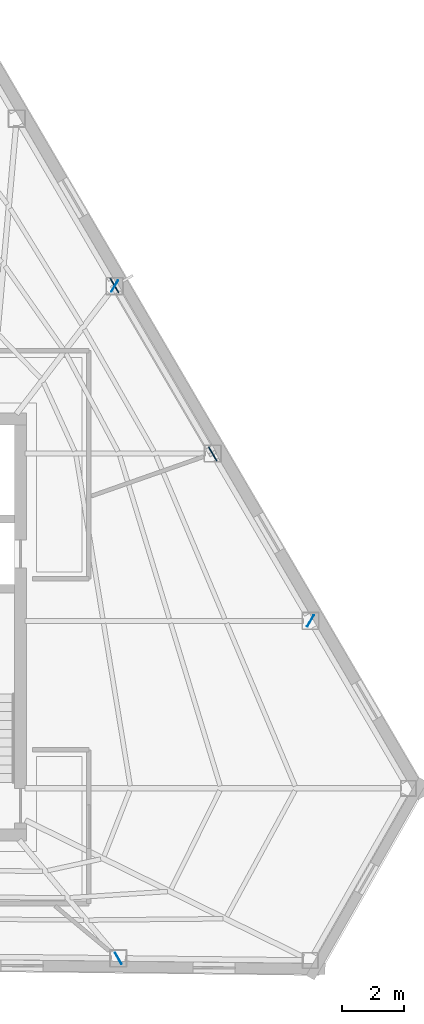
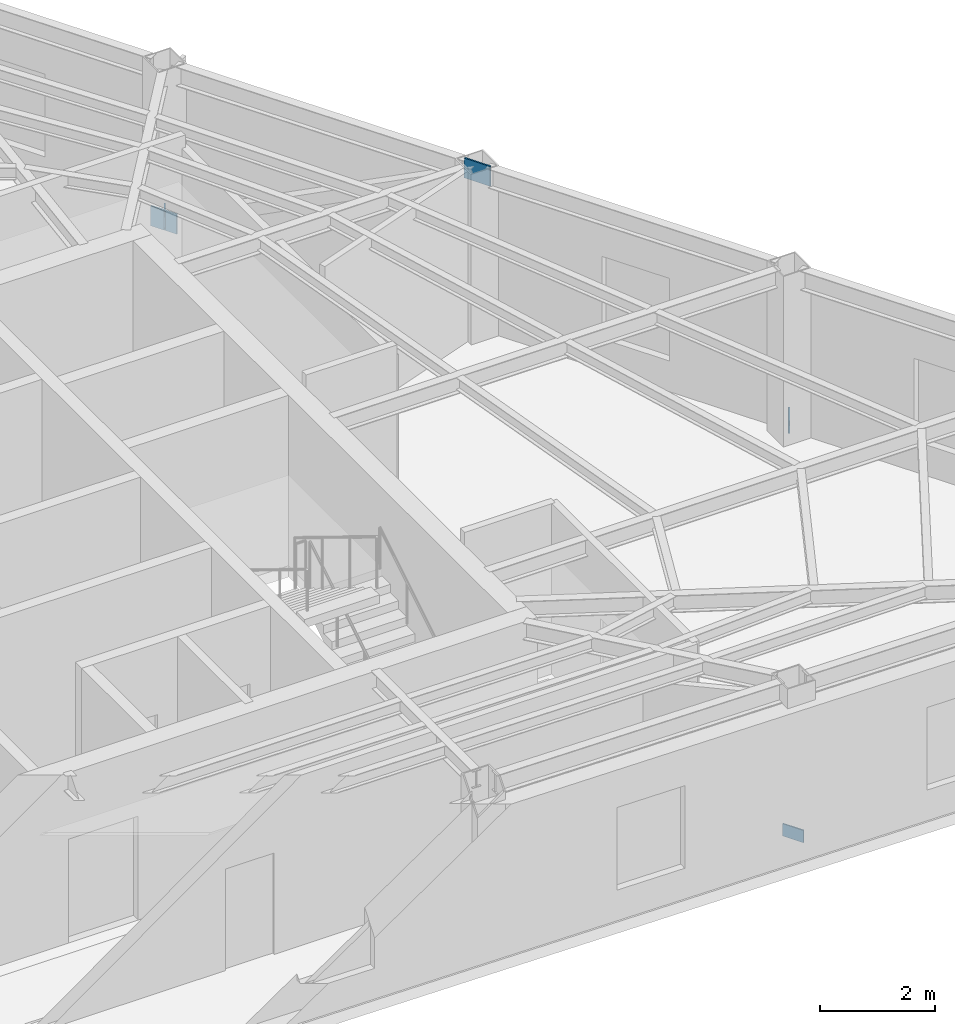
# One storey, part 5 of 10: 5 plates.
"""IFC4 building model written with IfcOpenShell, lengths in metres."""

from ifc_helpers import new_model, si_unit, direction, frame, origin, origin_2d, place, context, subcontext, project, spatial, rectangle, extrude, material, layer, layer_set, type_object, element, save


model = new_model("IFC4")

# Units and contexts
model_context = context("Model", 3, precision=1e-05, world=origin(), true_north=direction((0.0, 1.0)))
body_context = subcontext(model_context, "Body", "Model", "MODEL_VIEW")
ifc_project = project(units=[si_unit("LENGTHUNIT", "METRE"), si_unit("AREAUNIT", "SQUARE_METRE"), si_unit("VOLUMEUNIT", "CUBIC_METRE"), si_unit("PLANEANGLEUNIT", "RADIAN"), si_unit("MASSUNIT", "GRAM", prefix="KILO")], contexts=[model_context])

# Site, building, storey
site_placement = place(None, origin())
site = spatial("IfcSite", under=ifc_project, at=site_placement, CompositionType="ELEMENT")
building_placement = place(site_placement, origin())
building = spatial("IfcBuilding", under=site, at=building_placement, Name="Kavelnor Concourse Tower", CompositionType="ELEMENT")
storey_placement = place(building_placement, frame((0.0, 0.0, 254.89990234375)))
storey = spatial("IfcBuildingStorey", under=building, at=storey_placement, Name="L64", CompositionType="ELEMENT", Elevation=254.89990234375)

# Plates
ifc_material = material(Name="Steel Grade 350", Category="steel")
ifc_layer_1 = layer(ifc_material, 0.031982421875, Name="Steel Grade 350")
ifc_layer_set_1 = layer_set([ifc_layer_1], Name="Steel Grade 350")
plate_type_1 = type_object("IfcPlateType", Name="PL-GUSSET-TUBE-Z1", PredefinedType="USERDEFINED", material=ifc_layer_set_1)
for number, where, z_axis, x_axis, name in (
    (1, (50.728271484375, 27.07373046875, 0.01025390625), (0.0, 0.0, 1.0), (0.504828974973, -0.863219384645, 0.0), "L64 Tube Brace Gusset GP3 F2-B2 End Gusset A"),
    (2, (53.888916015625, 21.668701171875, 3.197021484375), (0.0, 0.0, 1.0), (0.504828974973, -0.863219384645, 0.0), "L64 Tube Brace Gusset GP3 F2-B2 End Gusset B"),
):
    element("IfcPlate", number, at=place(storey_placement, frame(where, z_axis=z_axis, x_axis=x_axis)), inside=storey, type_object=plate_type_1, Name=name, ObjectType="GUSSET_PLATE", PredefinedType="USERDEFINED", context=body_context, shape_type="SweptSolid", body=[
        extrude(rectangle(XDim=0.52001953125, YDim=0.031982421875, at=origin_2d()), origin(), (0.0, 0.0, 1.0), 0.419921875),
    ])
ifc_layer_2 = layer(ifc_material, 0.02490234375, Name="Steel Grade 350")
ifc_layer_set_2 = layer_set([ifc_layer_2], Name="Steel Grade 350")
plate_type_2 = type_object("IfcPlateType", Name="PL-SPLICE-FLANGE", PredefinedType="SHEET", material=ifc_layer_set_2)
for number, where, z_axis, x_axis, name in (
    (3, (50.851318359375, 5.446044921875, 0.169921875), (0.0, 0.0, 1.0), (-0.5, 0.866025403784, 0.0), "L64 Column Flange Splice Plate F1-B5"),
    (4, (57.031494140625, 16.294921875, 0.169921875), (0.0, 0.0, 1.0), (-0.5, -0.866025403784, 0.0), "L64 Column Flange Splice Plate F2-B1"),
    (5, (50.734375, 27.063232421875, 0.169921875), (0.0, 0.0, 1.0), (-0.5, -0.866025403784, 0.0), "L64 Column Flange Splice Plate F2-B3"),
):
    element("IfcPlate", number, at=place(storey_placement, frame(where, z_axis=z_axis, x_axis=x_axis)), inside=storey, type_object=plate_type_2, Name=name, PredefinedType="SHEET", context=body_context, shape_type="SweptSolid", body=[
        extrude(rectangle(XDim=0.419921875, YDim=0.02490234375, at=origin_2d()), origin(), (0.0, 0.0, 1.0), 0.260009765625),
    ])

save(model, "model.ifc")
